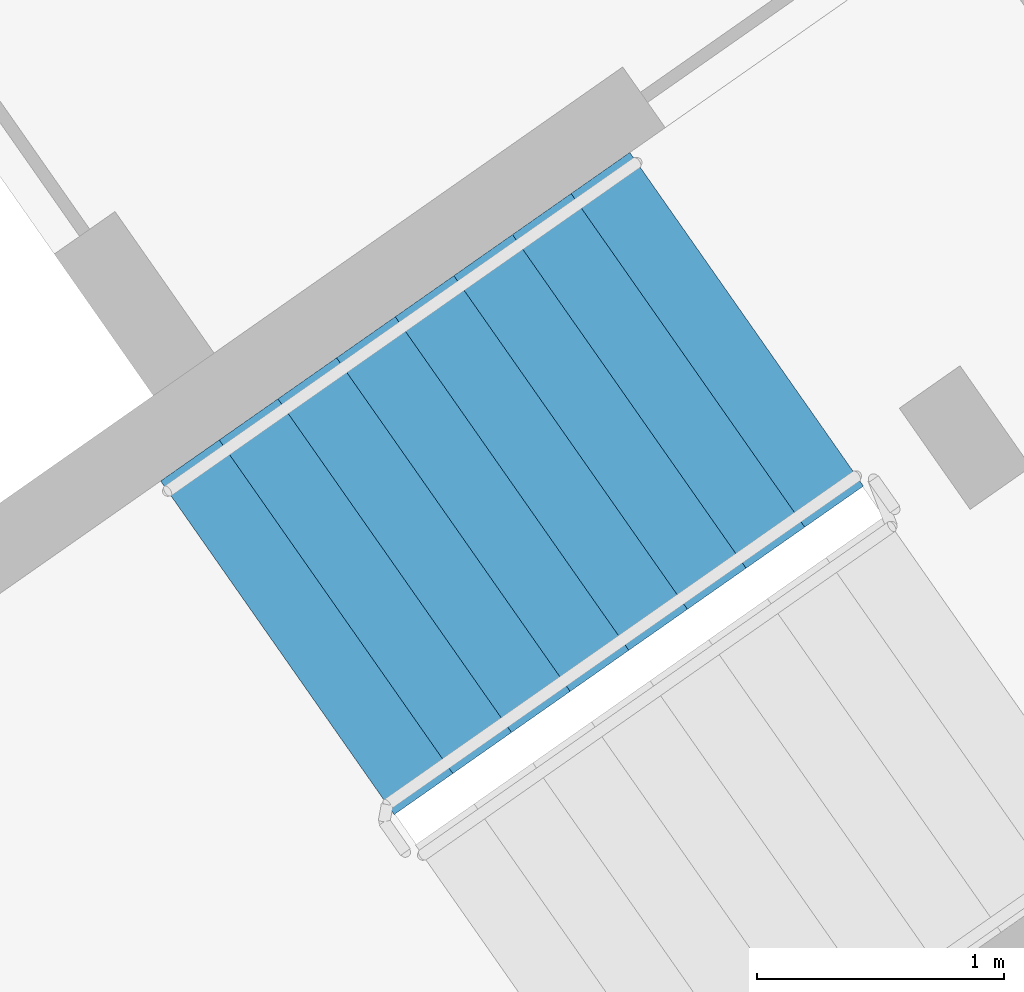
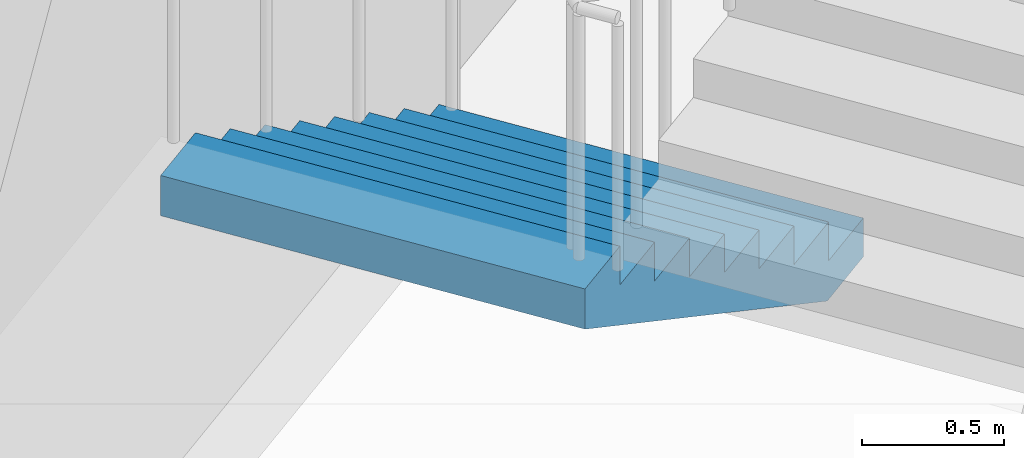
# One storey, part 14 of 41: 1 stair flight, 1 element without a shape of its own.
"""IFC4 building model written with IfcOpenShell, lengths in metres."""

from ifc_helpers import new_model, si_unit, direction, frame, origin, place, context, subcontext, project, spatial, faceted_brep, material, type_object, element, aggregate, save


model = new_model("IFC4")

# Units and contexts
model_context = context("Model", 3, precision=1e-05, world=origin(), true_north=direction((0.0, 1.0)))
body_context = subcontext(model_context, "Body", "Model", "MODEL_VIEW")
ifc_project = project(units=[si_unit("LENGTHUNIT", "METRE"), si_unit("AREAUNIT", "SQUARE_METRE"), si_unit("VOLUMEUNIT", "CUBIC_METRE"), si_unit("PLANEANGLEUNIT", "RADIAN"), si_unit("MASSUNIT", "GRAM", prefix="KILO")], contexts=[model_context])

# Site, building, storey
site_placement = place(None, origin())
site = spatial("IfcSite", under=ifc_project, at=site_placement, CompositionType="ELEMENT")
building_placement = place(site_placement, origin())
building = spatial("IfcBuilding", under=site, at=building_placement, Name="Qamariyya Broadcast Tower", CompositionType="ELEMENT")
storey_placement = place(building_placement, frame((0.0, 0.0, 284.699951171875)))
storey = spatial("IfcBuildingStorey", under=building, at=storey_placement, Name="L69", CompositionType="ELEMENT", Elevation=284.699951171875)

# Stair, stair flight
ifc_material = material(Name="Concrete C50/60", Category="concrete")
stair_type = type_object("IfcStairType", Name="Exit stair 36 risers of 167 mm", PredefinedType="HALF_TURN_STAIR", material=ifc_material)
stair_placement = place(storey_placement, origin())
stair = element("IfcStair", 1, at=stair_placement, inside=storey, type_object=stair_type, Name="L69 Stair E1", PredefinedType="HALF_TURN_STAIR")
stair_flight_type = type_object("IfcStairFlightType", Name="Exit stair flight 9 risers of 167 mm", PredefinedType="STRAIGHT", material=ifc_material)
stair_flight_placement = place(storey_placement, frame((46.036376953125, -55.508056640625, 0.0), z_axis=(0.0, 0.0, 1.0), x_axis=(-0.819152044289, -0.573576436351, 0.0)))
stair_flight = element("IfcStairFlight", 2, at=stair_flight_placement, type_object=stair_flight_type, Name="ST-E1 flight 1", NumberOfRisers=9, NumberOfTreads=8, PredefinedType="STRAIGHT", RiserHeight=0.166666667, TreadLength=0.29, context=body_context, shape_type="Brep", body=[
    faceted_brep([(0.0, 0.824951171875, 0.0), (0.0, 0.824951171875, 0.166748046875), (0.2900390625, 0.824951171875, 0.166748046875), (0.2900390625, 0.824951171875, 0.333251953125), (0.580078125, 0.824951171875, 0.333251953125), (0.580078125, 0.824951171875, 0.5), (0.8701171875, 0.824951171875, 0.5), (0.8701171875, 0.824951171875, 0.666748046875), (1.159912109375, 0.824951171875, 0.666748046875), (1.159912109375, 0.824951171875, 0.833251953125), (1.449951171875, 0.824951171875, 0.833251953125), (1.449951171875, 0.824951171875, 1.0), (1.739990234375, 0.824951171875, 1.0), (1.739990234375, 0.824951171875, 1.166748046875), (2.030029296875, 0.824951171875, 1.166748046875), (2.030029296875, 0.824951171875, 1.333251953125), (2.320068359375, 0.824951171875, 1.333251953125), (2.320068359375, 0.824951171875, 1.160400390625), (0.30078125, 0.824951171875, 0.0), (0.30078125, -0.824951171875, 0.0), (2.320068359375, -0.824951171875, 1.160400390625), (2.320068359375, -0.824951171875, 1.333251953125), (2.030029296875, -0.824951171875, 1.333251953125), (2.030029296875, -0.824951171875, 1.166748046875), (1.739990234375, -0.824951171875, 1.166748046875), (1.739990234375, -0.824951171875, 1.0), (1.449951171875, -0.824951171875, 1.0), (1.449951171875, -0.824951171875, 0.833251953125), (1.159912109375, -0.824951171875, 0.833251953125), (1.159912109375, -0.824951171875, 0.666748046875), (0.8701171875, -0.824951171875, 0.666748046875), (0.8701171875, -0.824951171875, 0.5), (0.580078125, -0.824951171875, 0.5), (0.580078125, -0.824951171875, 0.333251953125), (0.2900390625, -0.824951171875, 0.333251953125), (0.2900390625, -0.824951171875, 0.166748046875), (0.0, -0.824951171875, 0.166748046875), (0.0, -0.824951171875, 0.0), (0.0, 0.10009765625, 0.0), (0.0, 0.086669921875, 0.0), (0.0, 0.0732421875, 0.0), (0.0, 0.06005859375, 0.0), (0.0, 0.046630859375, 0.0), (0.0, 0.033447265625, 0.0), (0.0, 0.02001953125, 0.0), (0.0, 0.006591796875, 0.0), (0.0, -0.006591796875, 0.0), (0.0, -0.02001953125, 0.0), (0.0, -0.033447265625, 0.0), (0.0, -0.046630859375, 0.0), (0.0, -0.06005859375, 0.0), (0.0, -0.0732421875, 0.0), (0.0, -0.086669921875, 0.0), (0.0, -0.10009765625, 0.0), (0.0, -0.10009765625, 0.166748046875), (0.0, -0.086669921875, 0.166748046875), (0.0, -0.0732421875, 0.166748046875), (0.0, -0.06005859375, 0.166748046875), (0.0, -0.046630859375, 0.166748046875), (0.0, -0.033447265625, 0.166748046875), (0.0, -0.02001953125, 0.166748046875), (0.0, -0.006591796875, 0.166748046875), (0.0, 0.006591796875, 0.166748046875), (0.0, 0.02001953125, 0.166748046875), (0.0, 0.033447265625, 0.166748046875), (0.0, 0.046630859375, 0.166748046875), (0.0, 0.06005859375, 0.166748046875), (0.0, 0.0732421875, 0.166748046875), (0.0, 0.086669921875, 0.166748046875), (0.0, 0.10009765625, 0.166748046875), (0.2900390625, -0.10009765625, 0.166748046875), (0.2900390625, -0.086669921875, 0.166748046875), (0.2900390625, -0.0732421875, 0.166748046875), (0.2900390625, -0.06005859375, 0.166748046875), (0.2900390625, -0.046630859375, 0.166748046875), (0.2900390625, -0.033447265625, 0.166748046875), (0.2900390625, -0.02001953125, 0.166748046875), (0.2900390625, -0.006591796875, 0.166748046875), (0.2900390625, 0.006591796875, 0.166748046875), (0.2900390625, 0.02001953125, 0.166748046875), (0.2900390625, 0.033447265625, 0.166748046875), (0.2900390625, 0.046630859375, 0.166748046875), (0.2900390625, 0.06005859375, 0.166748046875), (0.2900390625, 0.0732421875, 0.166748046875), (0.2900390625, 0.086669921875, 0.166748046875), (0.2900390625, 0.10009765625, 0.166748046875), (0.2900390625, -0.10009765625, 0.333251953125), (0.2900390625, -0.086669921875, 0.333251953125), (0.2900390625, -0.0732421875, 0.333251953125), (0.2900390625, -0.06005859375, 0.333251953125), (0.2900390625, -0.046630859375, 0.333251953125), (0.2900390625, -0.033447265625, 0.333251953125), (0.2900390625, -0.02001953125, 0.333251953125), (0.2900390625, -0.006591796875, 0.333251953125), (0.2900390625, 0.006591796875, 0.333251953125), (0.2900390625, 0.02001953125, 0.333251953125), (0.2900390625, 0.033447265625, 0.333251953125), (0.2900390625, 0.046630859375, 0.333251953125), (0.2900390625, 0.06005859375, 0.333251953125), (0.2900390625, 0.0732421875, 0.333251953125), (0.2900390625, 0.086669921875, 0.333251953125), (0.2900390625, 0.10009765625, 0.333251953125), (0.580078125, -0.10009765625, 0.333251953125), (0.580078125, -0.086669921875, 0.333251953125), (0.580078125, -0.0732421875, 0.333251953125), (0.580078125, -0.06005859375, 0.333251953125), (0.580078125, -0.046630859375, 0.333251953125), (0.580078125, -0.033447265625, 0.333251953125), (0.580078125, -0.02001953125, 0.333251953125), (0.580078125, -0.006591796875, 0.333251953125), (0.580078125, 0.006591796875, 0.333251953125), (0.580078125, 0.02001953125, 0.333251953125), (0.580078125, 0.033447265625, 0.333251953125), (0.580078125, 0.046630859375, 0.333251953125), (0.580078125, 0.06005859375, 0.333251953125), (0.580078125, 0.0732421875, 0.333251953125), (0.580078125, 0.086669921875, 0.333251953125), (0.580078125, 0.10009765625, 0.333251953125), (0.580078125, -0.10009765625, 0.5), (0.580078125, -0.086669921875, 0.5), (0.580078125, -0.0732421875, 0.5), (0.580078125, -0.06005859375, 0.5), (0.580078125, -0.046630859375, 0.5), (0.580078125, -0.033447265625, 0.5), (0.580078125, -0.02001953125, 0.5), (0.580078125, -0.006591796875, 0.5), (0.580078125, 0.006591796875, 0.5), (0.580078125, 0.02001953125, 0.5), (0.580078125, 0.033447265625, 0.5), (0.580078125, 0.046630859375, 0.5), (0.580078125, 0.06005859375, 0.5), (0.580078125, 0.0732421875, 0.5), (0.580078125, 0.086669921875, 0.5), (0.580078125, 0.10009765625, 0.5), (0.8701171875, -0.10009765625, 0.5), (0.8701171875, -0.086669921875, 0.5), (0.8701171875, -0.0732421875, 0.5), (0.8701171875, -0.06005859375, 0.5), (0.8701171875, -0.046630859375, 0.5), (0.8701171875, -0.033447265625, 0.5), (0.8701171875, -0.02001953125, 0.5), (0.8701171875, -0.006591796875, 0.5), (0.8701171875, 0.006591796875, 0.5), (0.8701171875, 0.02001953125, 0.5), (0.8701171875, 0.033447265625, 0.5), (0.8701171875, 0.046630859375, 0.5), (0.8701171875, 0.06005859375, 0.5), (0.8701171875, 0.0732421875, 0.5), (0.8701171875, 0.086669921875, 0.5), (0.8701171875, 0.10009765625, 0.5), (0.8701171875, -0.10009765625, 0.666748046875), (0.8701171875, -0.086669921875, 0.666748046875), (0.8701171875, -0.0732421875, 0.666748046875), (0.8701171875, -0.06005859375, 0.666748046875), (0.8701171875, -0.046630859375, 0.666748046875), (0.8701171875, -0.033447265625, 0.666748046875), (0.8701171875, -0.02001953125, 0.666748046875), (0.8701171875, -0.006591796875, 0.666748046875), (0.8701171875, 0.006591796875, 0.666748046875), (0.8701171875, 0.02001953125, 0.666748046875), (0.8701171875, 0.033447265625, 0.666748046875), (0.8701171875, 0.046630859375, 0.666748046875), (0.8701171875, 0.06005859375, 0.666748046875), (0.8701171875, 0.0732421875, 0.666748046875), (0.8701171875, 0.086669921875, 0.666748046875), (0.8701171875, 0.10009765625, 0.666748046875), (1.159912109375, -0.10009765625, 0.666748046875), (1.159912109375, -0.086669921875, 0.666748046875), (1.159912109375, -0.0732421875, 0.666748046875), (1.159912109375, -0.06005859375, 0.666748046875), (1.159912109375, -0.046630859375, 0.666748046875), (1.159912109375, -0.033447265625, 0.666748046875), (1.159912109375, -0.02001953125, 0.666748046875), (1.159912109375, -0.006591796875, 0.666748046875), (1.159912109375, 0.006591796875, 0.666748046875), (1.159912109375, 0.02001953125, 0.666748046875), (1.159912109375, 0.033447265625, 0.666748046875), (1.159912109375, 0.046630859375, 0.666748046875), (1.159912109375, 0.06005859375, 0.666748046875), (1.159912109375, 0.0732421875, 0.666748046875), (1.159912109375, 0.086669921875, 0.666748046875), (1.159912109375, 0.10009765625, 0.666748046875), (1.159912109375, -0.10009765625, 0.833251953125), (1.159912109375, -0.086669921875, 0.833251953125), (1.159912109375, -0.0732421875, 0.833251953125), (1.159912109375, -0.06005859375, 0.833251953125), (1.159912109375, -0.046630859375, 0.833251953125), (1.159912109375, -0.033447265625, 0.833251953125), (1.159912109375, -0.02001953125, 0.833251953125), (1.159912109375, -0.006591796875, 0.833251953125), (1.159912109375, 0.006591796875, 0.833251953125), (1.159912109375, 0.02001953125, 0.833251953125), (1.159912109375, 0.033447265625, 0.833251953125), (1.159912109375, 0.046630859375, 0.833251953125), (1.159912109375, 0.06005859375, 0.833251953125), (1.159912109375, 0.0732421875, 0.833251953125), (1.159912109375, 0.086669921875, 0.833251953125), (1.159912109375, 0.10009765625, 0.833251953125), (1.449951171875, -0.10009765625, 0.833251953125), (1.449951171875, -0.086669921875, 0.833251953125), (1.449951171875, -0.0732421875, 0.833251953125), (1.449951171875, -0.06005859375, 0.833251953125), (1.449951171875, -0.046630859375, 0.833251953125), (1.449951171875, -0.033447265625, 0.833251953125), (1.449951171875, -0.02001953125, 0.833251953125), (1.449951171875, -0.006591796875, 0.833251953125), (1.449951171875, 0.006591796875, 0.833251953125), (1.449951171875, 0.02001953125, 0.833251953125), (1.449951171875, 0.033447265625, 0.833251953125), (1.449951171875, 0.046630859375, 0.833251953125), (1.449951171875, 0.06005859375, 0.833251953125), (1.449951171875, 0.0732421875, 0.833251953125), (1.449951171875, 0.086669921875, 0.833251953125), (1.449951171875, 0.10009765625, 0.833251953125), (1.449951171875, -0.10009765625, 1.0), (1.449951171875, -0.086669921875, 1.0), (1.449951171875, -0.0732421875, 1.0), (1.449951171875, -0.06005859375, 1.0), (1.449951171875, -0.046630859375, 1.0), (1.449951171875, -0.033447265625, 1.0), (1.449951171875, -0.02001953125, 1.0), (1.449951171875, -0.006591796875, 1.0), (1.449951171875, 0.006591796875, 1.0), (1.449951171875, 0.02001953125, 1.0), (1.449951171875, 0.033447265625, 1.0), (1.449951171875, 0.046630859375, 1.0), (1.449951171875, 0.06005859375, 1.0), (1.449951171875, 0.0732421875, 1.0), (1.449951171875, 0.086669921875, 1.0), (1.449951171875, 0.10009765625, 1.0), (1.739990234375, -0.10009765625, 1.0), (1.739990234375, -0.086669921875, 1.0), (1.739990234375, -0.0732421875, 1.0), (1.739990234375, -0.06005859375, 1.0), (1.739990234375, -0.046630859375, 1.0), (1.739990234375, -0.033447265625, 1.0), (1.739990234375, -0.02001953125, 1.0), (1.739990234375, -0.006591796875, 1.0), (1.739990234375, 0.006591796875, 1.0), (1.739990234375, 0.02001953125, 1.0), (1.739990234375, 0.033447265625, 1.0), (1.739990234375, 0.046630859375, 1.0), (1.739990234375, 0.06005859375, 1.0), (1.739990234375, 0.0732421875, 1.0), (1.739990234375, 0.086669921875, 1.0), (1.739990234375, 0.10009765625, 1.0), (1.739990234375, -0.10009765625, 1.166748046875), (1.739990234375, -0.086669921875, 1.166748046875), (1.739990234375, -0.0732421875, 1.166748046875), (1.739990234375, -0.06005859375, 1.166748046875), (1.739990234375, -0.046630859375, 1.166748046875), (1.739990234375, -0.033447265625, 1.166748046875), (1.739990234375, -0.02001953125, 1.166748046875), (1.739990234375, -0.006591796875, 1.166748046875), (1.739990234375, 0.006591796875, 1.166748046875), (1.739990234375, 0.02001953125, 1.166748046875), (1.739990234375, 0.033447265625, 1.166748046875), (1.739990234375, 0.046630859375, 1.166748046875), (1.739990234375, 0.06005859375, 1.166748046875), (1.739990234375, 0.0732421875, 1.166748046875), (1.739990234375, 0.086669921875, 1.166748046875), (1.739990234375, 0.10009765625, 1.166748046875), (2.030029296875, -0.10009765625, 1.166748046875), (2.030029296875, -0.086669921875, 1.166748046875), (2.030029296875, -0.0732421875, 1.166748046875), (2.030029296875, -0.06005859375, 1.166748046875), (2.030029296875, -0.046630859375, 1.166748046875), (2.030029296875, -0.033447265625, 1.166748046875), (2.030029296875, -0.02001953125, 1.166748046875), (2.030029296875, -0.006591796875, 1.166748046875), (2.030029296875, 0.006591796875, 1.166748046875), (2.030029296875, 0.02001953125, 1.166748046875), (2.030029296875, 0.033447265625, 1.166748046875), (2.030029296875, 0.046630859375, 1.166748046875), (2.030029296875, 0.06005859375, 1.166748046875), (2.030029296875, 0.0732421875, 1.166748046875), (2.030029296875, 0.086669921875, 1.166748046875), (2.030029296875, 0.10009765625, 1.166748046875), (2.030029296875, -0.10009765625, 1.333251953125), (2.030029296875, -0.086669921875, 1.333251953125), (2.030029296875, -0.0732421875, 1.333251953125), (2.030029296875, -0.06005859375, 1.333251953125), (2.030029296875, -0.046630859375, 1.333251953125), (2.030029296875, -0.033447265625, 1.333251953125), (2.030029296875, -0.02001953125, 1.333251953125), (2.030029296875, -0.006591796875, 1.333251953125), (2.030029296875, 0.006591796875, 1.333251953125), (2.030029296875, 0.02001953125, 1.333251953125), (2.030029296875, 0.033447265625, 1.333251953125), (2.030029296875, 0.046630859375, 1.333251953125), (2.030029296875, 0.06005859375, 1.333251953125), (2.030029296875, 0.0732421875, 1.333251953125), (2.030029296875, 0.086669921875, 1.333251953125), (2.030029296875, 0.10009765625, 1.333251953125), (2.320068359375, -0.10009765625, 1.333251953125), (2.320068359375, -0.086669921875, 1.333251953125), (2.320068359375, -0.0732421875, 1.333251953125), (2.320068359375, -0.06005859375, 1.333251953125), (2.320068359375, -0.046630859375, 1.333251953125), (2.320068359375, -0.033447265625, 1.333251953125), (2.320068359375, -0.02001953125, 1.333251953125), (2.320068359375, -0.006591796875, 1.333251953125), (2.320068359375, 0.006591796875, 1.333251953125), (2.320068359375, 0.02001953125, 1.333251953125), (2.320068359375, 0.033447265625, 1.333251953125), (2.320068359375, 0.046630859375, 1.333251953125), (2.320068359375, 0.06005859375, 1.333251953125), (2.320068359375, 0.0732421875, 1.333251953125), (2.320068359375, 0.086669921875, 1.333251953125), (2.320068359375, 0.10009765625, 1.333251953125), (2.320068359375, -0.10009765625, 1.160400390625), (2.320068359375, -0.086669921875, 1.160400390625), (2.320068359375, -0.0732421875, 1.160400390625), (2.320068359375, -0.06005859375, 1.160400390625), (2.320068359375, -0.046630859375, 1.160400390625), (2.320068359375, -0.033447265625, 1.160400390625), (2.320068359375, -0.02001953125, 1.160400390625), (2.320068359375, -0.006591796875, 1.160400390625), (2.320068359375, 0.006591796875, 1.160400390625), (2.320068359375, 0.02001953125, 1.160400390625), (2.320068359375, 0.033447265625, 1.160400390625), (2.320068359375, 0.046630859375, 1.160400390625), (2.320068359375, 0.06005859375, 1.160400390625), (2.320068359375, 0.0732421875, 1.160400390625), (2.320068359375, 0.086669921875, 1.160400390625), (2.320068359375, 0.10009765625, 1.160400390625), (0.30078125, -0.10009765625, 0.0), (0.30078125, -0.086669921875, 0.0), (0.30078125, -0.0732421875, 0.0), (0.30078125, -0.06005859375, 0.0), (0.30078125, -0.046630859375, 0.0), (0.30078125, -0.033447265625, 0.0), (0.30078125, -0.02001953125, 0.0), (0.30078125, -0.006591796875, 0.0), (0.30078125, 0.006591796875, 0.0), (0.30078125, 0.02001953125, 0.0), (0.30078125, 0.033447265625, 0.0), (0.30078125, 0.046630859375, 0.0), (0.30078125, 0.06005859375, 0.0), (0.30078125, 0.0732421875, 0.0), (0.30078125, 0.086669921875, 0.0), (0.30078125, 0.10009765625, 0.0)], [[[0, 1, 2, 3, 4, 5, 6, 7, 8, 9, 10, 11, 12, 13, 14, 15, 16, 17, 18]], [[19, 20, 21, 22, 23, 24, 25, 26, 27, 28, 29, 30, 31, 32, 33, 34, 35, 36, 37]], [[0, 38, 39, 40, 41, 42, 43, 44, 45, 46, 47, 48, 49, 50, 51, 52, 53, 37, 36, 54, 55, 56, 57, 58, 59, 60, 61, 62, 63, 64, 65, 66, 67, 68, 69, 1]], [[1, 69, 68, 67, 66, 65, 64, 63, 62, 61, 60, 59, 58, 57, 56, 55, 54, 36, 35, 70, 71, 72, 73, 74, 75, 76, 77, 78, 79, 80, 81, 82, 83, 84, 85, 2]], [[2, 85, 84, 83, 82, 81, 80, 79, 78, 77, 76, 75, 74, 73, 72, 71, 70, 35, 34, 86, 87, 88, 89, 90, 91, 92, 93, 94, 95, 96, 97, 98, 99, 100, 101, 3]], [[3, 101, 100, 99, 98, 97, 96, 95, 94, 93, 92, 91, 90, 89, 88, 87, 86, 34, 33, 102, 103, 104, 105, 106, 107, 108, 109, 110, 111, 112, 113, 114, 115, 116, 117, 4]], [[4, 117, 116, 115, 114, 113, 112, 111, 110, 109, 108, 107, 106, 105, 104, 103, 102, 33, 32, 118, 119, 120, 121, 122, 123, 124, 125, 126, 127, 128, 129, 130, 131, 132, 133, 5]], [[5, 133, 132, 131, 130, 129, 128, 127, 126, 125, 124, 123, 122, 121, 120, 119, 118, 32, 31, 134, 135, 136, 137, 138, 139, 140, 141, 142, 143, 144, 145, 146, 147, 148, 149, 6]], [[6, 149, 148, 147, 146, 145, 144, 143, 142, 141, 140, 139, 138, 137, 136, 135, 134, 31, 30, 150, 151, 152, 153, 154, 155, 156, 157, 158, 159, 160, 161, 162, 163, 164, 165, 7]], [[7, 165, 164, 163, 162, 161, 160, 159, 158, 157, 156, 155, 154, 153, 152, 151, 150, 30, 29, 166, 167, 168, 169, 170, 171, 172, 173, 174, 175, 176, 177, 178, 179, 180, 181, 8]], [[8, 181, 180, 179, 178, 177, 176, 175, 174, 173, 172, 171, 170, 169, 168, 167, 166, 29, 28, 182, 183, 184, 185, 186, 187, 188, 189, 190, 191, 192, 193, 194, 195, 196, 197, 9]], [[9, 197, 196, 195, 194, 193, 192, 191, 190, 189, 188, 187, 186, 185, 184, 183, 182, 28, 27, 198, 199, 200, 201, 202, 203, 204, 205, 206, 207, 208, 209, 210, 211, 212, 213, 10]], [[10, 213, 212, 211, 210, 209, 208, 207, 206, 205, 204, 203, 202, 201, 200, 199, 198, 27, 26, 214, 215, 216, 217, 218, 219, 220, 221, 222, 223, 224, 225, 226, 227, 228, 229, 11]], [[11, 229, 228, 227, 226, 225, 224, 223, 222, 221, 220, 219, 218, 217, 216, 215, 214, 26, 25, 230, 231, 232, 233, 234, 235, 236, 237, 238, 239, 240, 241, 242, 243, 244, 245, 12]], [[12, 245, 244, 243, 242, 241, 240, 239, 238, 237, 236, 235, 234, 233, 232, 231, 230, 25, 24, 246, 247, 248, 249, 250, 251, 252, 253, 254, 255, 256, 257, 258, 259, 260, 261, 13]], [[13, 261, 260, 259, 258, 257, 256, 255, 254, 253, 252, 251, 250, 249, 248, 247, 246, 24, 23, 262, 263, 264, 265, 266, 267, 268, 269, 270, 271, 272, 273, 274, 275, 276, 277, 14]], [[14, 277, 276, 275, 274, 273, 272, 271, 270, 269, 268, 267, 266, 265, 264, 263, 262, 23, 22, 278, 279, 280, 281, 282, 283, 284, 285, 286, 287, 288, 289, 290, 291, 292, 293, 15]], [[15, 293, 292, 291, 290, 289, 288, 287, 286, 285, 284, 283, 282, 281, 280, 279, 278, 22, 21, 294, 295, 296, 297, 298, 299, 300, 301, 302, 303, 304, 305, 306, 307, 308, 309, 16]], [[16, 309, 308, 307, 306, 305, 304, 303, 302, 301, 300, 299, 298, 297, 296, 295, 294, 21, 20, 310, 311, 312, 313, 314, 315, 316, 317, 318, 319, 320, 321, 322, 323, 324, 325, 17]], [[17, 325, 324, 323, 322, 321, 320, 319, 318, 317, 316, 315, 314, 313, 312, 311, 310, 20, 19, 326, 327, 328, 329, 330, 331, 332, 333, 334, 335, 336, 337, 338, 339, 340, 341, 18]], [[18, 341, 340, 339, 338, 337, 336, 335, 334, 333, 332, 331, 330, 329, 328, 327, 326, 19, 37, 53, 52, 51, 50, 49, 48, 47, 46, 45, 44, 43, 42, 41, 40, 39, 38, 0]]]),
])
aggregate(stair, [stair_flight])

save(model, "model.ifc")
